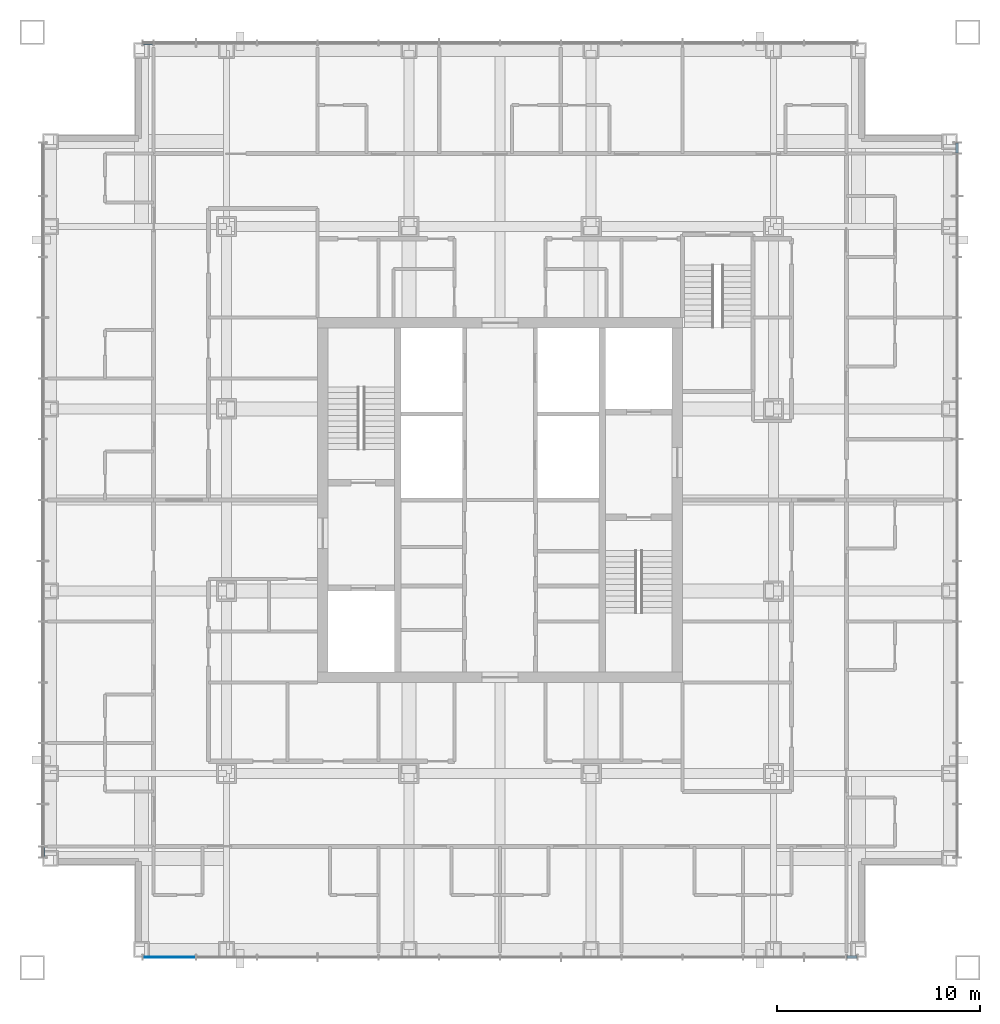
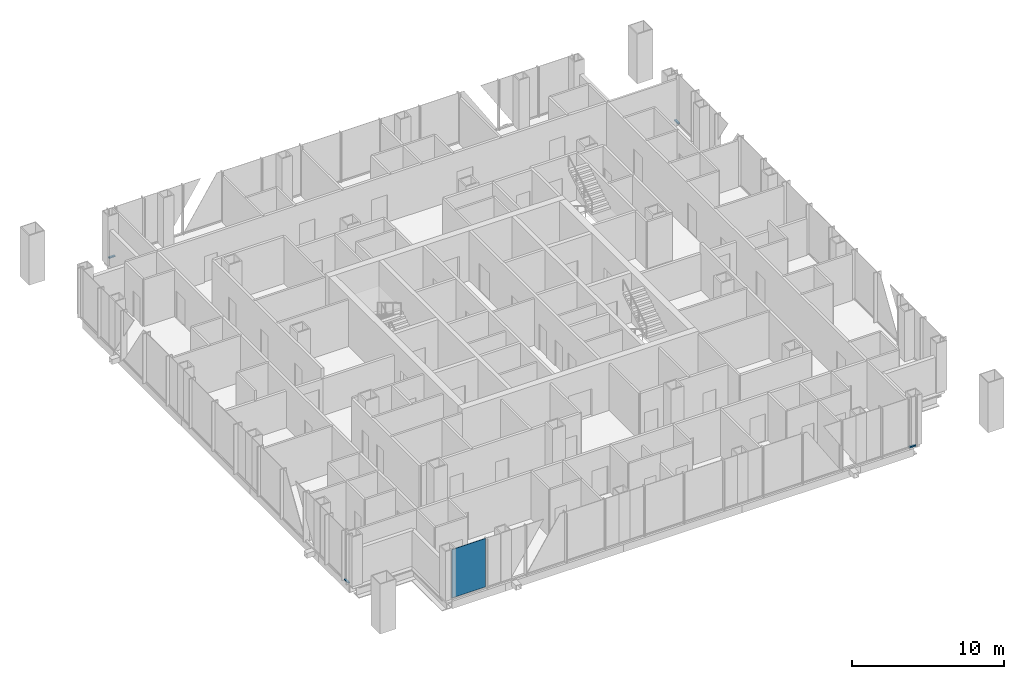
# One storey, part 6 of 18: 4 members, 1 plate, 4 elements without a shape of their own.
"""IFC4 building model written with IfcOpenShell, lengths in metres."""

from ifc_helpers import new_model, si_unit, direction, frame, origin, origin_2d, place, context, subcontext, project, spatial, rectangle, extrude, material, layer, layer_set, material_profile, profile_set, type_object, element, aggregate, save


model = new_model("IFC4")

# Units and contexts
model_context = context("Model", 3, precision=1e-05, world=origin(), true_north=direction((0.0, 1.0)))
body_context = subcontext(model_context, "Body", "Model", "MODEL_VIEW")
ifc_project = project(units=[si_unit("LENGTHUNIT", "METRE"), si_unit("AREAUNIT", "SQUARE_METRE"), si_unit("VOLUMEUNIT", "CUBIC_METRE"), si_unit("PLANEANGLEUNIT", "RADIAN"), si_unit("MASSUNIT", "GRAM", prefix="KILO")], contexts=[model_context])

# Site, building, storey
site_placement = place(None, origin())
site = spatial("IfcSite", under=ifc_project, at=site_placement, CompositionType="ELEMENT")
building_placement = place(site_placement, origin())
building = spatial("IfcBuilding", under=site, at=building_placement, Name="Malebo Sky Hospital", CompositionType="ELEMENT")
storey_placement = place(building_placement, frame((0.0, 0.0, 225.0)))
storey = spatial("IfcBuildingStorey", under=building, at=storey_placement, Name="L54", CompositionType="ELEMENT", Elevation=225.0)

# Curtain wall, member
ifc_material_1 = material(Name="Anodised aluminium, natural silver", Category="aluminium")
ifc_layer_1 = layer(ifc_material_1, 0.25)
ifc_layer_set_1 = layer_set([ifc_layer_1], Name="WARD CURTAIN WALL NORTH AND SOUTH")
curtain_wall_type_1 = type_object("IfcCurtainWallType", Name="WARD CURTAIN WALL NORTH AND SOUTH", PredefinedType="NOTDEFINED", material=ifc_layer_set_1)
curtain_wall_1_placement = place(storey_placement, origin())
curtain_wall_1 = element("IfcCurtainWall", 1, at=curtain_wall_1_placement, inside=storey, type_object=curtain_wall_type_1, Name="NS curtain wall N", PredefinedType="NOTDEFINED")
ifc_material_profile = material_profile(ifc_material_1, rectangle(XDim=0.14990234375, YDim=0.10009765625, at=origin_2d()), Name="ALUMINIUM TRANSOM 150x100")
ifc_profile_set = profile_set([ifc_material_profile], Name="Anodised aluminium, natural silver")
member_type = type_object("IfcMemberType", Name="ALUMINIUM TRANSOM 150x100", PredefinedType="USERDEFINED", material=ifc_profile_set)
member_1_placement = place(storey_placement, frame((42.375, 84.574951171875, 0.050048828125), z_axis=(1.0, 0.0, 0.0), x_axis=(0.0, 1.0, 0.0)))
member_1 = element("IfcMember", 2, at=member_1_placement, type_object=member_type, Name="Transom 1", ObjectType="TRANSOM", PredefinedType="USERDEFINED", context=body_context, shape_type="SweptSolid", body=[
    extrude(rectangle(XDim=0.14990234375, YDim=0.10009765625, at=origin_2d()), origin(), (0.0, 0.0, 1.0), 0.487548828125),
])
aggregate(curtain_wall_1, [member_1])

ifc_layer_2 = layer(ifc_material_1, 0.25)
ifc_layer_set_2 = layer_set([ifc_layer_2], Name="WARD CURTAIN WALL EAST AND WEST")
curtain_wall_type_2 = type_object("IfcCurtainWallType", Name="WARD CURTAIN WALL EAST AND WEST", PredefinedType="NOTDEFINED", material=ifc_layer_set_2)
curtain_wall_2_placement = place(storey_placement, origin())
curtain_wall_2 = element("IfcCurtainWall", 3, at=curtain_wall_2_placement, inside=storey, type_object=curtain_wall_type_2, Name="EW curtain wall W", PredefinedType="NOTDEFINED")
member_2_placement = place(storey_placement, frame((37.425048828125, 44.375, 0.050048828125), z_axis=(0.0, 1.0, 0.0), x_axis=(-1.0, 0.0, 0.0)))
member_2 = element("IfcMember", 4, at=member_2_placement, type_object=member_type, Name="Transom 1", ObjectType="TRANSOM", PredefinedType="USERDEFINED", context=body_context, shape_type="SweptSolid", body=[
    extrude(rectangle(XDim=0.14990234375, YDim=0.10009765625, at=origin_2d()), origin(), (0.0, 0.0, 1.0), 0.487548828125),
])
aggregate(curtain_wall_2, [member_2])

curtain_wall_3_placement = place(storey_placement, origin())
curtain_wall_3 = element("IfcCurtainWall", 5, at=curtain_wall_3_placement, inside=storey, type_object=curtain_wall_type_1, Name="NS curtain wall S", PredefinedType="NOTDEFINED")
member_3_placement = place(storey_placement, frame((77.625, 39.425048828125, 0.050048828125), z_axis=(-1.0, 0.0, 0.0), x_axis=(0.0, -1.0, 0.0)))
member_3 = element("IfcMember", 6, at=member_3_placement, type_object=member_type, Name="Transom 1", ObjectType="TRANSOM", PredefinedType="USERDEFINED", context=body_context, shape_type="SweptSolid", body=[
    extrude(rectangle(XDim=0.14990234375, YDim=0.10009765625, at=origin_2d()), origin(), (0.0, 0.0, 1.0), 0.487548828125),
])

curtain_wall_4_placement = place(storey_placement, origin())
curtain_wall_4 = element("IfcCurtainWall", 7, at=curtain_wall_4_placement, inside=storey, type_object=curtain_wall_type_2, Name="EW curtain wall E", PredefinedType="NOTDEFINED")
member_4_placement = place(storey_placement, frame((82.574951171875, 79.625, 0.050048828125), z_axis=(0.0, -1.0, 0.0), x_axis=(1.0, 0.0, 0.0)))
member_4 = element("IfcMember", 8, at=member_4_placement, type_object=member_type, Name="Transom 1", ObjectType="TRANSOM", PredefinedType="USERDEFINED", context=body_context, shape_type="SweptSolid", body=[
    extrude(rectangle(XDim=0.14990234375, YDim=0.10009765625, at=origin_2d()), origin(), (0.0, 0.0, 1.0), 0.487548828125),
])
aggregate(curtain_wall_4, [member_4])

# Plate
ifc_material_2 = material(Name="Clear low-iron double glazing", Category="glass")
ifc_layer_3 = layer(ifc_material_2, 0.031982421875)
ifc_layer_set_3 = layer_set([ifc_layer_3], Name="VISION PANEL CLEAR 32")
plate_type = type_object("IfcPlateType", Name="VISION PANEL CLEAR 32", PredefinedType="CURTAIN_PANEL", material=ifc_layer_set_3)
plate_placement = place(storey_placement, frame((43.668701171875, 39.425048828125, 0.10009765625), z_axis=(0.0, 0.0, 1.0), x_axis=(-1.0, 0.0, 0.0)))
plate = element("IfcPlate", 9, at=plate_placement, type_object=plate_type, Name="Panel 13", PredefinedType="CURTAIN_PANEL", context=body_context, shape_type="SweptSolid", body=[
    extrude(rectangle(XDim=2.58740234375, YDim=0.031982421875, at=origin_2d()), origin(), (0.0, 0.0, 1.0), 3.889892578125),
])

aggregate(curtain_wall_3, [member_3, plate])

save(model, "model.ifc")
